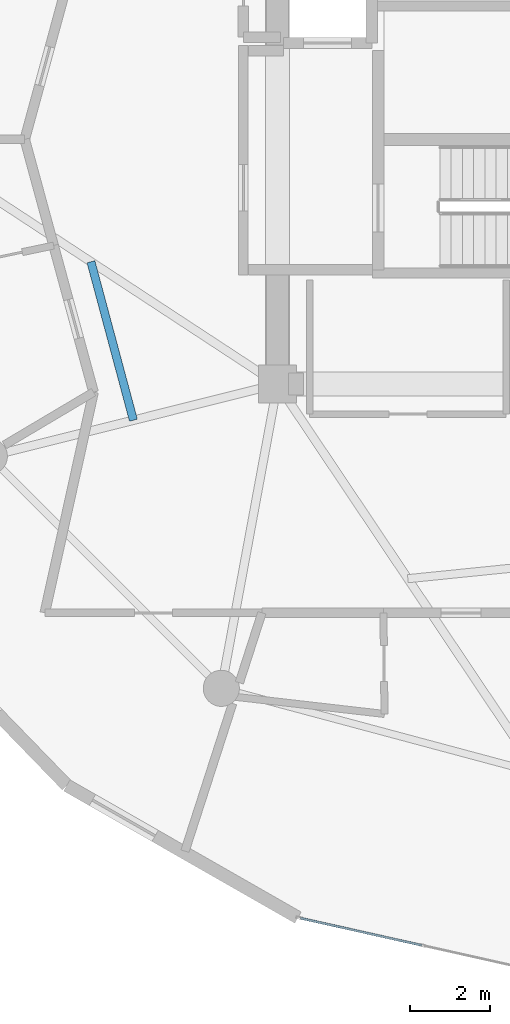
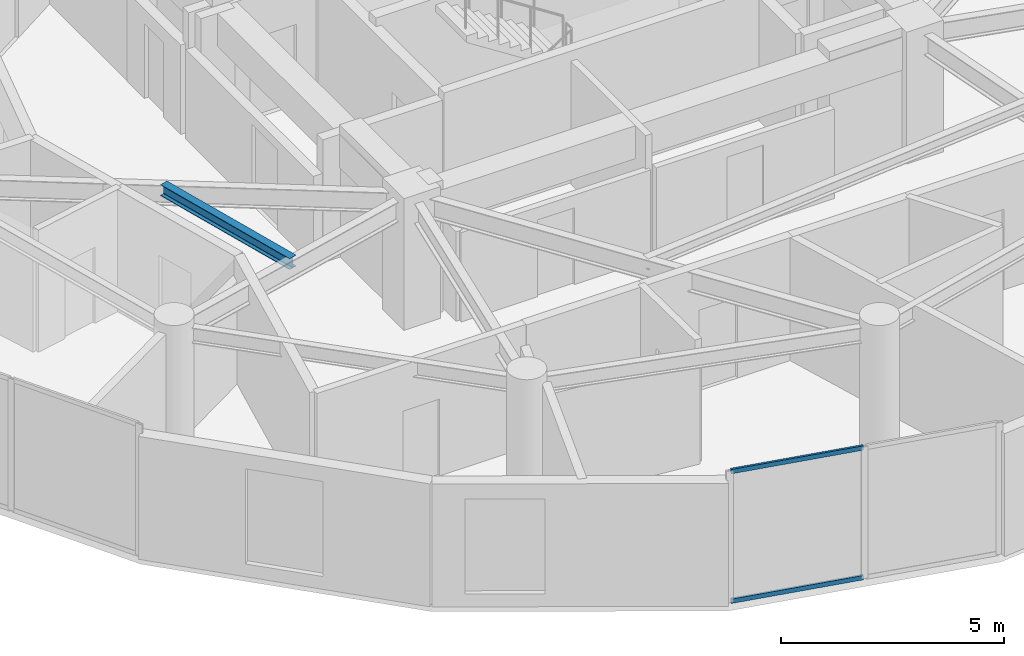
# One storey, part 4 of 23: 2 members, 1 beam, 1 element without a shape of its own.
"""IFC4 building model written with IfcOpenShell, lengths in metres."""

from ifc_helpers import new_model, si_unit, direction, frame, origin, origin_2d, place, context, subcontext, project, spatial, hollow_rectangle, i_section, extrude, source, transform, mapped, material, layer, layer_set, material_profile, profile_set, type_object, element, aggregate, save


model = new_model("IFC4")

# Units and contexts
model_context = context("Model", 3, precision=1e-05, world=origin(), true_north=direction((0.0, 1.0)))
body_context = subcontext(model_context, "Body", "Model", "MODEL_VIEW")
ifc_project = project(units=[si_unit("LENGTHUNIT", "METRE"), si_unit("AREAUNIT", "SQUARE_METRE"), si_unit("VOLUMEUNIT", "CUBIC_METRE"), si_unit("PLANEANGLEUNIT", "RADIAN"), si_unit("MASSUNIT", "GRAM", prefix="KILO")], contexts=[model_context])

# Site, building, storey
site_placement = place(None, origin())
site = spatial("IfcSite", under=ifc_project, at=site_placement, CompositionType="ELEMENT")
building_placement = place(site_placement, origin())
building = spatial("IfcBuilding", under=site, at=building_placement, Name="Solvirekh Grand Hotel", CompositionType="ELEMENT")
storey_placement = place(building_placement, frame((0.0, 0.0, 173.199951171875)))
storey = spatial("IfcBuildingStorey", under=building, at=storey_placement, Name="L44", CompositionType="ELEMENT", Elevation=173.199951171875)

# Beam
ifc_material_1 = material(Name="Steel S355", Category="steel")
ifc_material_profile_1 = material_profile(ifc_material_1, i_section(OverallWidth=0.202880859375, OverallDepth=0.302978515625, WebThickness=0.008056640625, FlangeThickness=0.012939453125, FilletRadius=0.010009765625, at=origin_2d()), Name="W310X60")
ifc_profile_set_1 = profile_set([ifc_material_profile_1], Name="Steel S355")
beam_type = type_object("IfcBeamType", Name="Joist_Floor_W310", PredefinedType="JOIST", material=ifc_profile_set_1)
beam_placement = place(storey_placement, frame((-11.14990234375, -3.050048828125, 3.208984375), z_axis=(0.25892209236, -0.965898208968, 0.0), x_axis=(0.965898208968, 0.25892209236, 0.0)))
element("IfcBeam", 1, at=beam_placement, inside=storey, type_object=beam_type, Name="L44 secondary composite floor joist 7", PredefinedType="JOIST", context=body_context, shape_type="SweptSolid", body=[
    extrude(i_section(OverallWidth=0.202880859375, OverallDepth=0.302978515625, WebThickness=0.008056640625, FlangeThickness=0.012939453125, FilletRadius=0.010009765625, at=origin_2d()), origin(), (0.0, 0.0, 1.0), 4.08935546875),
])

# Curtain wall, members
ifc_material_2 = material(Name="Anodized Bronze Aluminium 6063-T6", Category="aluminium")
ifc_layer = layer(ifc_material_2, 0.159912109375)
ifc_layer_set = layer_set([ifc_layer], Name="Anodized Bronze Aluminium 6063-T6")
curtain_wall_type = type_object("IfcCurtainWallType", Name="CW_Sys4_HighZoneFlushBronzeCW", PredefinedType="NOTDEFINED", material=ifc_layer_set)
curtain_wall_placement = place(storey_placement, origin())
curtain_wall = element("IfcCurtainWall", 2, at=curtain_wall_placement, inside=storey, type_object=curtain_wall_type, Name="L44 unitised bronze-glass curtain wall CW-L44-C18", PredefinedType="NOTDEFINED")
ifc_material_profile_2 = material_profile(ifc_material_2, hollow_rectangle(XDim=0.054931640625, YDim=0.1201171875, WallThickness=0.00390625, at=origin_2d()), Name="ALU RHS 120X55X4")
ifc_profile_set_2 = profile_set([ifc_material_profile_2], Name="Anodized Bronze Aluminium 6063-T6")
member_type = type_object("IfcMemberType", Name="CWTransom_Sys4", PredefinedType="USERDEFINED", material=ifc_profile_set_2)
shared_shape = source(origin(), body_context, "Body", "SweptSolid", [
    extrude(hollow_rectangle(XDim=0.054931640625, YDim=0.1201171875, WallThickness=0.00390625, at=origin_2d()), origin(), (0.0, 0.0, 1.0), 3.1044921875),
])
member_1_placement = place(storey_placement, frame((-5.931396484375, -19.4111328125, 0.027587890625), z_axis=(0.975845392385, -0.218462285442, 0.0), x_axis=(0.218462285442, 0.975845392385, 0.0)))
member_1 = element("IfcMember", 3, at=member_1_placement, type_object=member_type, Name="U04 transom 1.1", ObjectType="TRANSOM", PredefinedType="USERDEFINED", context=body_context, shape_type="MappedRepresentation", body=[
    mapped(shared_shape, transform((0.0, 0.0, 0.0), x_axis=(1.0, 0.0, 0.0), y_axis=(0.0, 1.0, 0.0), z_axis=(0.0, 0.0, 1.0), scale=1.0)),
])
member_2_placement = place(storey_placement, frame((-5.931396484375, -19.4111328125, 3.572509765625), z_axis=(0.975845392385, -0.218462285442, 0.0), x_axis=(0.218462285442, 0.975845392385, 0.0)))
member_2 = element("IfcMember", 4, at=member_2_placement, type_object=member_type, Name="U04 transom 1.2", ObjectType="TRANSOM", PredefinedType="USERDEFINED", context=body_context, shape_type="MappedRepresentation", body=[
    mapped(shared_shape, transform((0.0, 0.0, 0.0), x_axis=(1.0, 0.0, 0.0), y_axis=(0.0, 1.0, 0.0), z_axis=(0.0, 0.0, 1.0), scale=1.0)),
])
aggregate(curtain_wall, [member_1, member_2])

save(model, "model.ifc")
